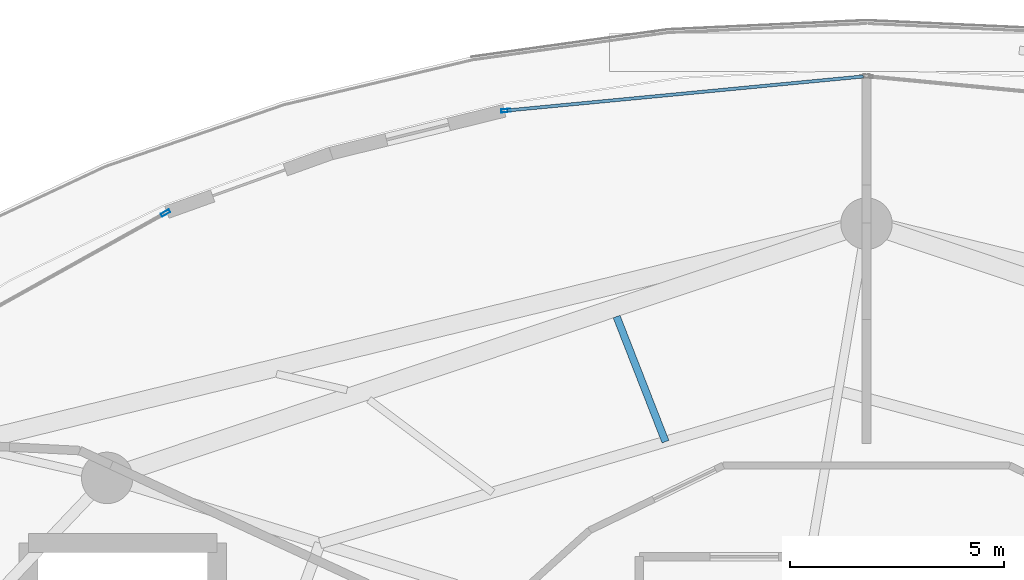
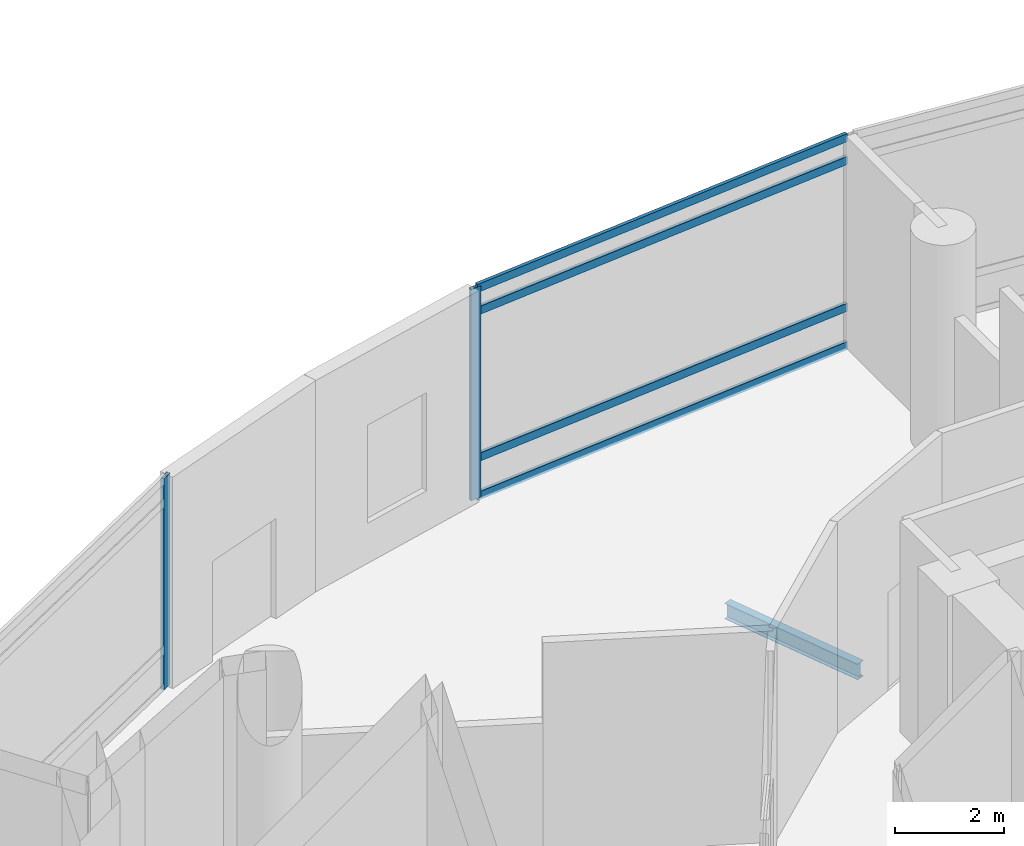
# One storey, part 17 of 34: 6 members, 1 beam, 2 elements without a shape of their own.
"""IFC4 building model written with IfcOpenShell, lengths in metres."""

from ifc_helpers import new_model, si_unit, direction, frame, origin, origin_2d, place, context, subcontext, project, spatial, hollow_rectangle, i_section, extrude, material, layer, layer_set, material_profile, profile_set, type_object, element, aggregate, save


model = new_model("IFC4")

# Units and contexts
model_context = context("Model", 3, precision=1e-05, world=origin(), true_north=direction((0.0, 1.0)))
body_context = subcontext(model_context, "Body", "Model", "MODEL_VIEW")
ifc_project = project(units=[si_unit("LENGTHUNIT", "METRE"), si_unit("AREAUNIT", "SQUARE_METRE"), si_unit("VOLUMEUNIT", "CUBIC_METRE"), si_unit("PLANEANGLEUNIT", "RADIAN"), si_unit("MASSUNIT", "GRAM", prefix="KILO")], contexts=[model_context])

# Site, building, storey
site_placement = place(None, origin())
site = spatial("IfcSite", under=ifc_project, at=site_placement, CompositionType="ELEMENT")
building_placement = place(site_placement, origin())
building = spatial("IfcBuilding", under=site, at=building_placement, Name="Nuhasar Tower", CompositionType="ELEMENT")
storey_placement = place(building_placement, frame((0.0, 0.0, 16.0)))
storey = spatial("IfcBuildingStorey", under=building, at=storey_placement, Name="L03", CompositionType="ELEMENT", Elevation=16.0)

# Beam
ifc_material_1 = material(Name="Steel S355", Category="steel")
ifc_material_profile_1 = material_profile(ifc_material_1, i_section(OverallWidth=0.1708984375, OverallDepth=0.35205078125, WebThickness=0.0068359375, FlangeThickness=0.009765625, at=origin_2d()), Name="W14X30")
ifc_profile_set_1 = profile_set([ifc_material_profile_1], Name="Steel S355")
beam_type = type_object("IfcBeamType", Name="BM-JST-W14X30", PredefinedType="JOIST", material=ifc_profile_set_1)
beam_placement = place(storey_placement, frame((34.31103515625, 41.964111328125, -0.47607421875), z_axis=(-0.364040737541, 0.931383026155, 0.0), x_axis=(-0.931383026155, -0.364040737541, 0.0)))
element("IfcBeam", 1, at=beam_placement, inside=storey, type_object=beam_type, Name="L03 Secondary Floor Joist 11", PredefinedType="JOIST", context=body_context, shape_type="SweptSolid", body=[
    extrude(i_section(OverallWidth=0.1708984375, OverallDepth=0.35205078125, WebThickness=0.0068359375, FlangeThickness=0.009765625, at=origin_2d()), origin(), (0.0, 0.0, 1.0), 3.1318359375),
])

# Curtain wall, member
ifc_material_2 = material(Name="Aluminium 6063-T6", Category="aluminium")
ifc_layer = layer(ifc_material_2, 0.219970703125)
ifc_layer_set = layer_set([ifc_layer], Name="Aluminium 6063-T6")
curtain_wall_type = type_object("IfcCurtainWallType", Name="CW-PODIUM", PredefinedType="NOTDEFINED", material=ifc_layer_set)
curtain_wall_1_placement = place(storey_placement, origin())
curtain_wall_1 = element("IfcCurtainWall", 2, at=curtain_wall_1_placement, inside=storey, type_object=curtain_wall_type, Name="L03 Podium Curtain Wall Bay 07", PredefinedType="NOTDEFINED")
ifc_material_profile_2 = material_profile(ifc_material_2, hollow_rectangle(XDim=0.074951171875, YDim=0.219970703125, WallThickness=0.0048828125, at=origin_2d()), Name="CWM-1")
ifc_profile_set_2 = profile_set([ifc_material_profile_2], Name="Aluminium 6063-T6")
member_type_1 = type_object("IfcMemberType", Name="CW-MUL-S1", PredefinedType="MULLION", material=ifc_profile_set_2)
member_1_placement = place(storey_placement, frame((30.58935546875, 49.6865234375, 0.0), z_axis=(0.0, 0.0, 1.0), x_axis=(0.095092686697, -0.995468422873, 0.0)))
member_1 = element("IfcMember", 3, at=member_1_placement, type_object=member_type_1, Name="CW-P1 mullion 2", PredefinedType="MULLION", context=body_context, shape_type="SweptSolid", body=[
    extrude(hollow_rectangle(XDim=0.074951171875, YDim=0.219970703125, WallThickness=0.0048828125, at=origin_2d()), origin(), (0.0, 0.0, 1.0), 4.739990234375),
])

curtain_wall_2_placement = place(storey_placement, origin())
curtain_wall_2 = element("IfcCurtainWall", 4, at=curtain_wall_2_placement, inside=storey, type_object=curtain_wall_type, Name="L03 Podium Curtain Wall Bay 09", PredefinedType="NOTDEFINED")
member_2_placement = place(storey_placement, frame((22.647216796875, 47.2978515625, 0.0), z_axis=(0.0, 0.0, 1.0), x_axis=(0.486575351992, -0.873638613406, 0.0)))
member_2 = element("IfcMember", 5, at=member_2_placement, type_object=member_type_1, Name="CW-P1 mullion 1", PredefinedType="MULLION", context=body_context, shape_type="SweptSolid", body=[
    extrude(hollow_rectangle(XDim=0.074951171875, YDim=0.219970703125, WallThickness=0.0048828125, at=origin_2d()), origin(), (0.0, 0.0, 1.0), 4.739990234375),
])
aggregate(curtain_wall_2, [member_2])

# Member
ifc_material_profile_3 = material_profile(ifc_material_2, hollow_rectangle(XDim=0.074951171875, YDim=0.179931640625, WallThickness=0.00439453125, at=origin_2d()), Name="CWT-1")
ifc_profile_set_3 = profile_set([ifc_material_profile_3], Name="Aluminium 6063-T6")
member_type_2 = type_object("IfcMemberType", Name="CW-TRN-S1", PredefinedType="USERDEFINED", material=ifc_profile_set_3)
member_3_placement = place(storey_placement, frame((38.92529296875, 50.48291015625, 0.03759765625), z_axis=(-0.995468449453, -0.095092408443, 0.0), x_axis=(0.095092408443, -0.995468449453, 0.0)))
member_3 = element("IfcMember", 6, at=member_3_placement, type_object=member_type_2, Name="CW-P1 transom 1.1", ObjectType="TRANSOM", PredefinedType="USERDEFINED", context=body_context, shape_type="SweptSolid", body=[
    extrude(hollow_rectangle(XDim=0.074951171875, YDim=0.179931640625, WallThickness=0.00439453125, at=origin_2d()), origin(), (0.0, 0.0, 1.0), 8.33642578125),
])

member_4_placement = place(storey_placement, frame((38.92529296875, 50.48291015625, 0.89990234375), z_axis=(-0.995468449453, -0.095092408443, 0.0), x_axis=(0.095092408443, -0.995468449453, 0.0)))
member_4 = element("IfcMember", 7, at=member_4_placement, type_object=member_type_2, Name="CW-P1 transom 1.2", ObjectType="TRANSOM", PredefinedType="USERDEFINED", context=body_context, shape_type="SweptSolid", body=[
    extrude(hollow_rectangle(XDim=0.074951171875, YDim=0.179931640625, WallThickness=0.00439453125, at=origin_2d()), origin(), (0.0, 0.0, 1.0), 8.33642578125),
])

member_5_placement = place(storey_placement, frame((38.92529296875, 50.48291015625, 4.18994140625), z_axis=(-0.995468449453, -0.095092408443, 0.0), x_axis=(0.095092408443, -0.995468449453, 0.0)))
member_5 = element("IfcMember", 8, at=member_5_placement, type_object=member_type_2, Name="CW-P1 transom 1.3", ObjectType="TRANSOM", PredefinedType="USERDEFINED", context=body_context, shape_type="SweptSolid", body=[
    extrude(hollow_rectangle(XDim=0.074951171875, YDim=0.179931640625, WallThickness=0.00439453125, at=origin_2d()), origin(), (0.0, 0.0, 1.0), 8.33642578125),
])

member_6_placement = place(storey_placement, frame((38.92529296875, 50.48291015625, 4.702392578125), z_axis=(-0.995468449453, -0.095092408443, 0.0), x_axis=(0.095092408443, -0.995468449453, 0.0)))
member_6 = element("IfcMember", 9, at=member_6_placement, type_object=member_type_2, Name="CW-P1 transom 1.4", ObjectType="TRANSOM", PredefinedType="USERDEFINED", context=body_context, shape_type="SweptSolid", body=[
    extrude(hollow_rectangle(XDim=0.074951171875, YDim=0.179931640625, WallThickness=0.00439453125, at=origin_2d()), origin(), (0.0, 0.0, 1.0), 8.33642578125),
])

aggregate(curtain_wall_1, [member_1, member_3, member_4, member_5, member_6])

save(model, "model.ifc")
